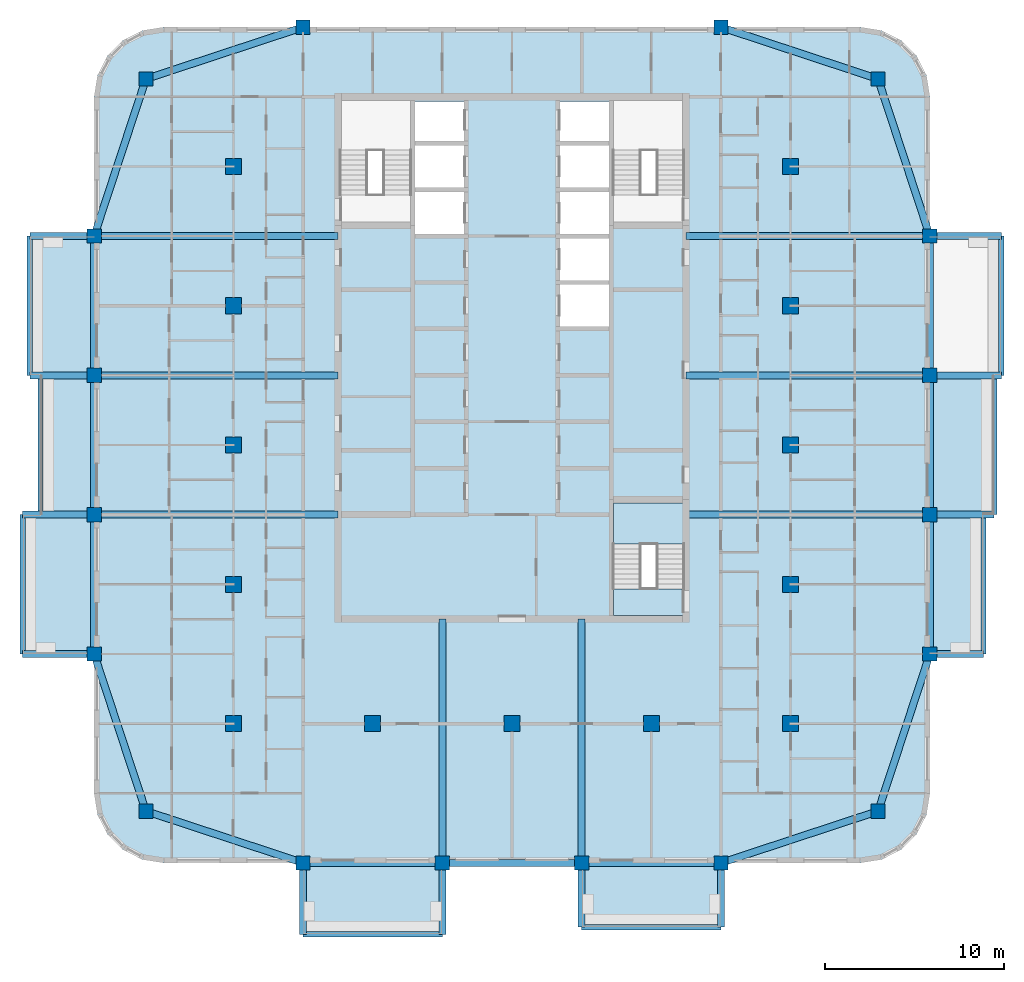
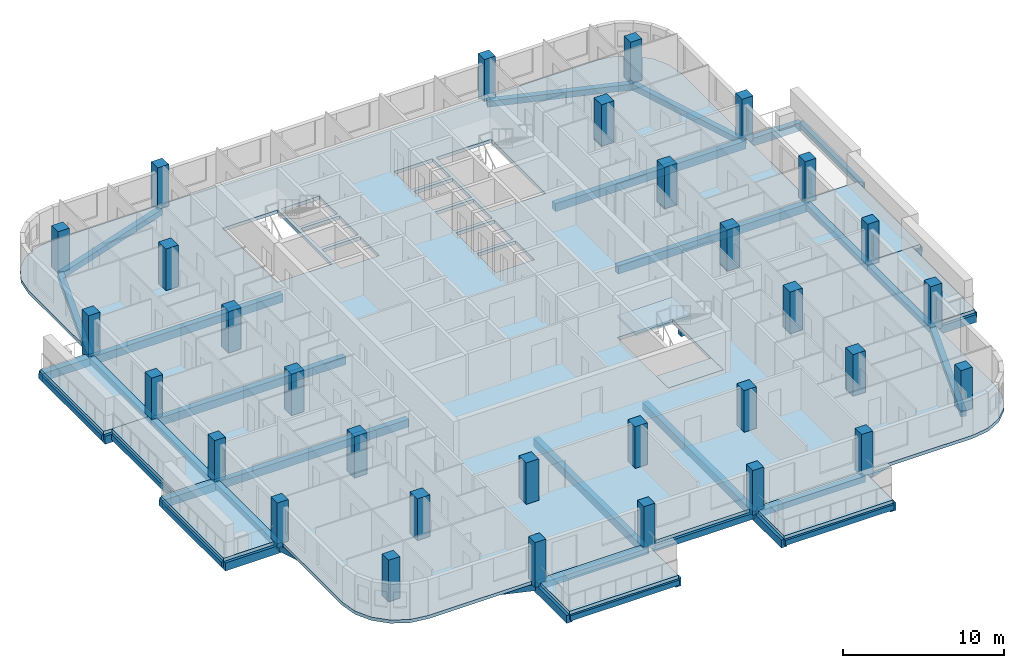
# One storey, part 1 of 16: 45 beams, 31 columns, 10 slabs, 1 element without a shape of its own.
"""IFC4 building model written with IfcOpenShell, lengths in metres."""

import ifcopenshell
import ifcopenshell.guid

model = None  # the IFC model being written
_history = None  # IfcOwnerHistory: only IFC2X3 demands one
_inside = {}  # id of a spatial element -> (the spatial element, [elements in it])
_under = {}  # id of a project, library or spatial element -> (it, [spatial elements below it])
_declared = {}  # id of a project -> (the project, [libraries it declares])
_typed = {}  # id of a type object -> (the type object, [elements of that type])
_made_of = {}  # id of a material, layer set ... -> (it, [elements and type objects made of it])


def new_model(schema):
    """Start an empty IFC model of exactly this schema.

    Asked for "IFC4X3", IfcOpenShell would pick the latest addendum, in which some entities
    have other attributes; the version numbers below select the first issue.
    IFC2X3 requires an IfcOwnerHistory on every rooted entity: one is made here for all.
    """
    global model, _history
    if schema == "IFC4X3":
        model = ifcopenshell.file(schema_version=(4, 3, 0, 0))
    else:
        model = ifcopenshell.file(schema=schema)
    _inside.clear()
    _under.clear()
    _declared.clear()
    _typed.clear()
    _made_of.clear()
    _history = None
    if model.schema == "IFC2X3":
        org = make("IfcOrganization", Name="unknown")
        user = make(
            "IfcPersonAndOrganization",
            ThePerson=make("IfcPerson", FamilyName="unknown"),
            TheOrganization=org,
        )
        app = make(
            "IfcApplication",
            ApplicationDeveloper=org,
            Version="unknown",
            ApplicationFullName="unknown",
            ApplicationIdentifier="unknown",
        )
        _history = make(
            "IfcOwnerHistory",
            OwningUser=user,
            OwningApplication=app,
            ChangeAction="ADDED",
            CreationDate=0,
        )
    return model


def make(cls, **values):
    """One entity of the class cls with the attributes given. An attribute that is None is left unset."""
    return model.create_entity(
        cls, **{name: value for name, value in values.items() if value is not None}
    )


def rooted(cls, **values):
    """An entity with a GlobalId (a new one), such as an element, a storey or a relation."""
    return make(cls, GlobalId=ifcopenshell.guid.new(), OwnerHistory=_history, **values)


def si_unit(unit_type, name, prefix=None):
    """IfcSIUnit, for example si_unit("LENGTHUNIT", "METRE", prefix="MILLI")."""
    return make("IfcSIUnit", UnitType=unit_type, Prefix=prefix, Name=name)


def assignment(units):
    """IfcUnitAssignment: the units of a project."""
    return None if units is None else make("IfcUnitAssignment", Units=units)


def point(xyz):
    """IfcCartesianPoint."""
    return None if xyz is None else make("IfcCartesianPoint", Coordinates=xyz)


def direction(xyz):
    """IfcDirection."""
    return None if xyz is None else make("IfcDirection", DirectionRatios=xyz)


def frame(location, z_axis=None, x_axis=None):
    """IfcAxis2Placement3D, a coordinate frame: its origin and axes. An axis left out is left unset."""
    return make(
        "IfcAxis2Placement3D",
        Location=point(location),
        Axis=direction(z_axis),
        RefDirection=direction(x_axis),
    )


def frame_2d(location, x_axis=None):
    """IfcAxis2Placement2D, a coordinate frame in the plane: its origin and x axis."""
    return make(
        "IfcAxis2Placement2D", Location=point(location), RefDirection=direction(x_axis)
    )


def origin():
    """The frame at (0, 0, 0) with its axes left unset."""
    return frame((0.0, 0.0, 0.0))


def origin_2d():
    """The frame at (0, 0) in the plane with its x axis left unset."""
    return frame_2d((0.0, 0.0))


def place(relative_to, where):
    """IfcLocalPlacement: puts the frame where relative to a parent placement (None: the world)."""
    return make(
        "IfcLocalPlacement", PlacementRelTo=relative_to, RelativePlacement=where
    )


def context(
    kind, dimensions, precision=None, world=None, true_north=None, identifier=None
):
    """IfcGeometricRepresentationContext, for example the 3D "Model" context."""
    return make(
        "IfcGeometricRepresentationContext",
        ContextIdentifier=identifier,
        ContextType=kind,
        CoordinateSpaceDimension=dimensions,
        Precision=precision,
        WorldCoordinateSystem=world,
        TrueNorth=true_north,
    )


def subcontext(parent, identifier, kind, view, scale=None):
    """IfcGeometricRepresentationSubContext, for example "Body" below "Model"."""
    return make(
        "IfcGeometricRepresentationSubContext",
        ContextIdentifier=identifier,
        ContextType=kind,
        ParentContext=parent,
        TargetScale=scale,
        TargetView=view,
    )


def project(units=None, contexts=None):
    """IfcProject with its units and contexts."""
    return rooted(
        "IfcProject",
        Name="project",
        RepresentationContexts=contexts,
        UnitsInContext=assignment(units),
    )


def spatial(cls, under=None, at=None, **own):
    """A site, building, storey or space (cls), placed at a placement, below another one or the project."""
    s = rooted(cls, ObjectPlacement=at, **own)
    if under is not None:
        _under.setdefault(under.id(), (under, []))[1].append(s)
    return s


def polyline(points):
    """IfcPolyline through the points."""
    return make("IfcPolyline", Points=[point(p) for p in points])


def profile(cls, at=None, kind="AREA", **sizes):
    """A parametric profile (cls). Its sizes go by their IFC names, for example OverallWidth=200.0."""
    return make(cls, ProfileType=kind, Position=at, **sizes)


def rectangle(**sizes):
    """IfcRectangleProfileDef."""
    return profile("IfcRectangleProfileDef", **sizes)


def outline(outer, holes=None, kind="AREA"):
    """IfcArbitraryClosedProfileDef: a profile drawn as a closed curve; with holes, ...WithVoids."""
    if holes is None:
        return make("IfcArbitraryClosedProfileDef", ProfileType=kind, OuterCurve=outer)
    return make(
        "IfcArbitraryProfileDefWithVoids",
        ProfileType=kind,
        OuterCurve=outer,
        InnerCurves=holes,
    )


def extrude(swept, where, along, depth):
    """IfcExtrudedAreaSolid: the profile swept, set in the frame where, extruded along a direction by depth."""
    return make(
        "IfcExtrudedAreaSolid",
        SweptArea=swept,
        Position=where,
        ExtrudedDirection=direction(along),
        Depth=depth,
    )


def shape(context_of_items, identifier, shape_type, items):
    """IfcShapeRepresentation: the items that make up one representation, for example the "Body"."""
    return make(
        "IfcShapeRepresentation",
        ContextOfItems=context_of_items,
        RepresentationIdentifier=identifier,
        RepresentationType=shape_type,
        Items=items,
    )


def material(Name=None, Category=None):
    """IfcMaterial."""
    return make("IfcMaterial", Name=Name, Category=Category)


def layer(
    of_material, thickness, ventilated=None, Name=None, Category=None, Priority=None
):
    """IfcMaterialLayer: one layer of a wall or slab, of a material (None: an air gap)."""
    return make(
        "IfcMaterialLayer",
        Material=of_material,
        LayerThickness=thickness,
        IsVentilated=ventilated,
        Name=Name,
        Category=Category,
        Priority=Priority,
    )


def layer_set(layers, Name=None):
    """IfcMaterialLayerSet."""
    return make("IfcMaterialLayerSet", MaterialLayers=layers, LayerSetName=Name)


def material_profile(
    of_material, cross_section, Name=None, Category=None, Priority=None
):
    """IfcMaterialProfile: a cross section and its material."""
    return make(
        "IfcMaterialProfile",
        Name=Name,
        Material=of_material,
        Profile=cross_section,
        Priority=Priority,
        Category=Category,
    )


def profile_set(profiles, Name=None, composite=None):
    """IfcMaterialProfileSet."""
    return make(
        "IfcMaterialProfileSet",
        Name=Name,
        MaterialProfiles=profiles,
        CompositeProfile=composite,
    )


def made_of(thing, what):
    """Note that an element or type object is made of a material, layer set ...; save() writes the relation."""
    if what is not None:
        _made_of.setdefault(what.id(), (what, []))[1].append(thing)
    return thing


def type_object(cls, material=None, **own):
    """A type object (cls), such as IfcWallType, which elements share."""
    return made_of(rooted(cls, **own), material)


def element(
    cls,
    number,
    at=None,
    inside=None,
    cuts=None,
    type_object=None,
    material=None,
    context=None,
    identifier="Body",
    shape_type=None,
    held_by="IfcProductDefinitionShape",
    body=None,
    shapes=None,
    **own,
):
    """One element of the class cls, such as IfcWall. Its Tag is "e" and its number.

    at: its placement. inside: the storey or other place that contains it. cuts: it is an
    opening in that element (IfcRelVoidsElement). A single representation is given by context,
    identifier, shape_type and body (its items); several are given by shapes. held_by: the class
    of the entity that holds the representations. save() writes the other relations.
    """
    e = rooted(cls, Tag="e%d" % number, ObjectPlacement=at, **own)
    if body is not None:
        shapes = [shape(context, identifier, shape_type, body)]
    if shapes is not None:
        e.Representation = make(held_by, Representations=shapes)
    if inside is not None:
        _inside.setdefault(inside.id(), (inside, []))[1].append(e)
    if cuts is not None:
        rooted(
            "IfcRelVoidsElement", RelatingBuildingElement=cuts, RelatedOpeningElement=e
        )
    if type_object is not None:
        _typed.setdefault(type_object.id(), (type_object, []))[1].append(e)
    return made_of(e, material)


def aggregate(whole, parts):
    """IfcRelAggregates: a whole, such as a stair, and the parts it consists of."""
    return rooted("IfcRelAggregates", RelatingObject=whole, RelatedObjects=parts)


def save(model, path):
    """Write the relations noted so far, then the file.

    IfcRelAggregates (storeys below a building ...), IfcRelContainedInSpatialStructure (elements
    in a storey), IfcRelDefinesByType, IfcRelAssociatesMaterial and IfcRelDeclares: one each for
    every whole, place, type object, material and project.
    """
    for whole, parts in _under.values():
        aggregate(whole, parts)
    for where, things in _inside.values():
        rooted(
            "IfcRelContainedInSpatialStructure",
            RelatedElements=things,
            RelatingStructure=where,
        )
    for kind, things in _typed.values():
        rooted("IfcRelDefinesByType", RelatedObjects=things, RelatingType=kind)
    for what, things in _made_of.values():
        rooted("IfcRelAssociatesMaterial", RelatedObjects=things, RelatingMaterial=what)
    for by, libraries in _declared.values():
        rooted("IfcRelDeclares", RelatingContext=by, RelatedDefinitions=libraries)
    model.write(path)


model = new_model("IFC4")

# Units and contexts
model_context = context("Model", 3, precision=1e-05, world=origin(), true_north=direction((0.0, 1.0)))
body_context = subcontext(model_context, "Body", "Model", "MODEL_VIEW")
ifc_project = project(units=[si_unit("LENGTHUNIT", "METRE"), si_unit("AREAUNIT", "SQUARE_METRE"), si_unit("VOLUMEUNIT", "CUBIC_METRE"), si_unit("PLANEANGLEUNIT", "RADIAN"), si_unit("MASSUNIT", "GRAM", prefix="KILO")], contexts=[model_context])

# Site, building, storey
site_placement = place(None, origin())
site = spatial("IfcSite", under=ifc_project, at=site_placement, CompositionType="ELEMENT")
building_placement = place(site_placement, origin())
building = spatial("IfcBuilding", under=site, at=building_placement, Name="Ludao Terraces", CompositionType="ELEMENT")
storey_placement = place(building_placement, frame((0.0, 0.0, 227.89990234375)))
storey = spatial("IfcBuildingStorey", under=building, at=storey_placement, Name="L62", CompositionType="ELEMENT", Elevation=227.89990234375)

# Columns
ifc_material_1 = material(Name="Concrete C50", Category="concrete")
ifc_material_profile_1 = material_profile(ifc_material_1, rectangle(XDim=0.800048828125, YDim=0.800048828125, at=origin_2d()), Name="800 X 800")
ifc_profile_set_1 = profile_set([ifc_material_profile_1], Name="Concrete C50")
column_type_1 = type_object("IfcColumnType", Name="RC column 800x800 C50", PredefinedType="COLUMN", material=ifc_profile_set_1)
for number, where, z_axis, x_axis, name in (
    (1, (64.5, 44.5, -0.25), (0.0, 0.0, 1.0), (1.0, 0.0, 0.0), "Column L62 C0029x0029"),
    (2, (105.5, 44.5, -0.25), (0.0, 0.0, 1.0), (1.0, 0.0, 0.0), "Column L62 C0439x0029"),
    (3, (64.5, 85.5, -0.25), (0.0, 0.0, 1.0), (1.0, 0.0, 0.0), "Column L62 C0029x0439"),
    (4, (105.5, 85.5, -0.25), (0.0, 0.0, 1.0), (1.0, 0.0, 0.0), "Column L62 C0439x0439"),
    (5, (61.60009765625, 53.300048828125, -0.25), (0.0, 0.0, 1.0), (1.0, 0.0, 0.0), "Column L62 F0000x0117"),
    (6, (108.39990234375, 53.300048828125, -0.25), (0.0, 0.0, 1.0), (1.0, 0.0, 0.0), "Column L62 F0468x0117"),
    (7, (73.300048828125, 41.60009765625, -0.25), (0.0, 0.0, 1.0), (1.0, 0.0, 0.0), "Column L62 F0117x0000"),
    (8, (73.300048828125, 88.39990234375, -0.25), (0.0, 0.0, 1.0), (1.0, 0.0, 0.0), "Column L62 F0117x0468"),
    (9, (61.60009765625, 61.10009765625, -0.25), (0.0, 0.0, 1.0), (1.0, 0.0, 0.0), "Column L62 F0000x0195"),
    (10, (108.39990234375, 61.10009765625, -0.25), (0.0, 0.0, 1.0), (1.0, 0.0, 0.0), "Column L62 F0468x0195"),
    (11, (81.10009765625, 41.60009765625, -0.25), (0.0, 0.0, 1.0), (1.0, 0.0, 0.0), "Column L62 F0195x0000"),
    (12, (61.60009765625, 68.89990234375, -0.25), (0.0, 0.0, 1.0), (1.0, 0.0, 0.0), "Column L62 F0000x0273"),
    (13, (108.39990234375, 68.89990234375, -0.25), (0.0, 0.0, 1.0), (1.0, 0.0, 0.0), "Column L62 F0468x0273"),
    (14, (88.89990234375, 41.60009765625, -0.25), (0.0, 0.0, 1.0), (1.0, 0.0, 0.0), "Column L62 F0273x0000"),
    (15, (61.60009765625, 76.699951171875, -0.25), (0.0, 0.0, 1.0), (1.0, 0.0, 0.0), "Column L62 F0000x0351"),
    (16, (108.39990234375, 76.699951171875, -0.25), (0.0, 0.0, 1.0), (1.0, 0.0, 0.0), "Column L62 F0468x0351"),
    (17, (96.699951171875, 41.60009765625, -0.25), (0.0, 0.0, 1.0), (1.0, 0.0, 0.0), "Column L62 F0351x0000"),
    (18, (96.699951171875, 88.39990234375, -0.25), (0.0, 0.0, 1.0), (1.0, 0.0, 0.0), "Column L62 F0351x0468"),
):
    element("IfcColumn", number, at=place(storey_placement, frame(where, z_axis=z_axis, x_axis=x_axis)), inside=storey, type_object=column_type_1, Name=name, PredefinedType="COLUMN", context=body_context, shape_type="SweptSolid", body=[
        extrude(rectangle(XDim=0.800048828125, YDim=0.800048828125, at=origin_2d()), origin(), (0.0, 0.0, 1.0), 3.400146484375),
    ])
ifc_material_profile_2 = material_profile(ifc_material_1, rectangle(XDim=0.89990234375, YDim=0.89990234375, at=origin_2d()), Name="900 X 900")
ifc_profile_set_2 = profile_set([ifc_material_profile_2], Name="Concrete C50")
column_type_2 = type_object("IfcColumnType", Name="RC column 900x900 C50", PredefinedType="COLUMN", material=ifc_profile_set_2)
for number, where, z_axis, x_axis, name in (
    (19, (69.39990234375, 49.39990234375, -0.25), (0.0, 0.0, 1.0), (1.0, 0.0, 0.0), "Column L62 S0078x0078"),
    (20, (69.39990234375, 57.199951171875, -0.25), (0.0, 0.0, 1.0), (1.0, 0.0, 0.0), "Column L62 S0078x0156"),
    (21, (69.39990234375, 65.0, -0.25), (0.0, 0.0, 1.0), (1.0, 0.0, 0.0), "Column L62 S0078x0234"),
    (22, (69.39990234375, 72.800048828125, -0.25), (0.0, 0.0, 1.0), (1.0, 0.0, 0.0), "Column L62 S0078x0312"),
    (23, (69.39990234375, 80.60009765625, -0.25), (0.0, 0.0, 1.0), (1.0, 0.0, 0.0), "Column L62 S0078x0390"),
    (24, (77.199951171875, 49.39990234375, -0.25), (0.0, 0.0, 1.0), (1.0, 0.0, 0.0), "Column L62 S0156x0078"),
    (25, (85.0, 49.39990234375, -0.25), (0.0, 0.0, 1.0), (1.0, 0.0, 0.0), "Column L62 S0234x0078"),
    (26, (92.800048828125, 49.39990234375, -0.25), (0.0, 0.0, 1.0), (1.0, 0.0, 0.0), "Column L62 S0312x0078"),
    (27, (100.60009765625, 49.39990234375, -0.25), (0.0, 0.0, 1.0), (1.0, 0.0, 0.0), "Column L62 S0390x0078"),
    (28, (100.60009765625, 57.199951171875, -0.25), (0.0, 0.0, 1.0), (1.0, 0.0, 0.0), "Column L62 S0390x0156"),
    (29, (100.60009765625, 65.0, -0.25), (0.0, 0.0, 1.0), (1.0, 0.0, 0.0), "Column L62 S0390x0234"),
    (30, (100.60009765625, 72.800048828125, -0.25), (0.0, 0.0, 1.0), (1.0, 0.0, 0.0), "Column L62 S0390x0312"),
    (31, (100.60009765625, 80.60009765625, -0.25), (0.0, 0.0, 1.0), (1.0, 0.0, 0.0), "Column L62 S0390x0390"),
):
    element("IfcColumn", number, at=place(storey_placement, frame(where, z_axis=z_axis, x_axis=x_axis)), inside=storey, type_object=column_type_2, Name=name, PredefinedType="COLUMN", context=body_context, shape_type="SweptSolid", body=[
        extrude(rectangle(XDim=0.89990234375, YDim=0.89990234375, at=origin_2d()), origin(), (0.0, 0.0, 1.0), 3.400146484375),
    ])

# Beams
ifc_material_2 = material(Name="Concrete C40", Category="concrete")
ifc_material_profile_3 = material_profile(ifc_material_2, rectangle(XDim=0.300048828125, YDim=0.39990234375, at=origin_2d()), Name="300 X 400")
ifc_profile_set_3 = profile_set([ifc_material_profile_3], Name="Concrete C40")
beam_type_1 = type_object("IfcBeamType", Name="RC beam 300x400 C40", PredefinedType="BEAM", material=ifc_profile_set_3)
for number, where, z_axis, x_axis, name in (
    (32, (73.300048828125, 37.60009765625, -0.449951171875), (1.0, 0.0, 0.0), (0.0, 1.0, 0.0), "Balcony edge beam L62 S1"),
    (33, (88.89990234375, 38.0, -0.449951171875), (1.0, 0.0, 0.0), (0.0, 1.0, 0.0), "Balcony edge beam L62 S3"),
    (34, (111.39990234375, 53.300048828125, -0.449951171875), (0.0, 1.0, 0.0), (-1.0, 0.0, 0.0), "Balcony edge beam L62 E1"),
):
    element("IfcBeam", number, at=place(storey_placement, frame(where, z_axis=z_axis, x_axis=x_axis)), inside=storey, type_object=beam_type_1, Name=name, PredefinedType="BEAM", context=body_context, shape_type="SweptSolid", body=[
        extrude(rectangle(XDim=0.300048828125, YDim=0.39990234375, at=origin_2d()), origin(), (0.0, 0.0, 1.0), 7.800048828125),
    ])
beam_1_placement = place(storey_placement, frame((112.0, 61.10009765625, -0.449951171875), z_axis=(0.0, 1.0, 0.0), x_axis=(-1.0, 0.0, 0.0)))
element("IfcBeam", 35, at=beam_1_placement, inside=storey, type_object=beam_type_1, Name="Balcony edge beam L62 E2", PredefinedType="BEAM", context=body_context, shape_type="SweptSolid", body=[
    extrude(rectangle(XDim=0.300048828125, YDim=0.39990234375, at=origin_2d()), origin(), (0.0, 0.0, 1.0), 7.7998046875),
])
for number, where, z_axis, x_axis, name in (
    (36, (112.39990234375, 68.89990234375, -0.449951171875), (0.0, 1.0, 0.0), (-1.0, 0.0, 0.0), "Balcony edge beam L62 E3"),
    (37, (57.60009765625, 53.300048828125, -0.449951171875), (0.0, 1.0, 0.0), (-1.0, 0.0, 0.0), "Balcony edge beam L62 W1"),
):
    element("IfcBeam", number, at=place(storey_placement, frame(where, z_axis=z_axis, x_axis=x_axis)), inside=storey, type_object=beam_type_1, Name=name, PredefinedType="BEAM", context=body_context, shape_type="SweptSolid", body=[
        extrude(rectangle(XDim=0.300048828125, YDim=0.39990234375, at=origin_2d()), origin(), (0.0, 0.0, 1.0), 7.800048828125),
    ])
beam_2_placement = place(storey_placement, frame((58.60009765625, 61.10009765625, -0.449951171875), z_axis=(0.0, 1.0, 0.0), x_axis=(-1.0, 0.0, 0.0)))
element("IfcBeam", 38, at=beam_2_placement, inside=storey, type_object=beam_type_1, Name="Balcony edge beam L62 W2", PredefinedType="BEAM", context=body_context, shape_type="SweptSolid", body=[
    extrude(rectangle(XDim=0.300048828125, YDim=0.39990234375, at=origin_2d()), origin(), (0.0, 0.0, 1.0), 7.7998046875),
])
beam_3_placement = place(storey_placement, frame((58.0, 68.89990234375, -0.449951171875), z_axis=(0.0, 1.0, 0.0), x_axis=(-1.0, 0.0, 0.0)))
element("IfcBeam", 39, at=beam_3_placement, inside=storey, type_object=beam_type_1, Name="Balcony edge beam L62 W3", PredefinedType="BEAM", context=body_context, shape_type="SweptSolid", body=[
    extrude(rectangle(XDim=0.300048828125, YDim=0.39990234375, at=origin_2d()), origin(), (0.0, 0.0, 1.0), 7.800048828125),
])
ifc_material_profile_4 = material_profile(ifc_material_2, rectangle(XDim=0.39990234375, YDim=0.449951171875, at=origin_2d()), Name="400 X 450")
ifc_profile_set_4 = profile_set([ifc_material_profile_4], Name="Concrete C40")
beam_type_2 = type_object("IfcBeamType", Name="RC beam 400x450 C40", PredefinedType="BEAM", material=ifc_profile_set_4)
beam_4_placement = place(storey_placement, frame((64.5, 44.5, -0.474853515625), z_axis=(0.949760691408, -0.312977042379, 0.0), x_axis=(0.312977042379, 0.949760691408, 0.0)))
element("IfcBeam", 40, at=beam_4_placement, inside=storey, type_object=beam_type_2, Name="Spandrel beam L62 S1", PredefinedType="BEAM", context=body_context, shape_type="SweptSolid", body=[
    extrude(rectangle(XDim=0.39990234375, YDim=0.449951171875, at=origin_2d()), origin(), (0.0, 0.0, 1.0), 9.265625),
])
beam_5_placement = place(storey_placement, frame((73.300048828125, 41.60009765625, -0.474853515625), z_axis=(1.0, 0.0, 0.0), x_axis=(0.0, 1.0, 0.0)))
element("IfcBeam", 41, at=beam_5_placement, inside=storey, type_object=beam_type_2, Name="Spandrel beam L62 S2", PredefinedType="BEAM", context=body_context, shape_type="SweptSolid", body=[
    extrude(rectangle(XDim=0.39990234375, YDim=0.449951171875, at=origin_2d()), origin(), (0.0, 0.0, 1.0), 7.800048828125),
])
beam_6_placement = place(storey_placement, frame((81.10009765625, 41.60009765625, -0.474853515625), z_axis=(1.0, 0.0, 0.0), x_axis=(0.0, 1.0, 0.0)))
element("IfcBeam", 42, at=beam_6_placement, inside=storey, type_object=beam_type_2, Name="Spandrel beam L62 S3", PredefinedType="BEAM", context=body_context, shape_type="SweptSolid", body=[
    extrude(rectangle(XDim=0.39990234375, YDim=0.449951171875, at=origin_2d()), origin(), (0.0, 0.0, 1.0), 7.7998046875),
])
beam_7_placement = place(storey_placement, frame((88.89990234375, 41.60009765625, -0.474853515625), z_axis=(1.0, 0.0, 0.0), x_axis=(0.0, 1.0, 0.0)))
element("IfcBeam", 43, at=beam_7_placement, inside=storey, type_object=beam_type_2, Name="Spandrel beam L62 S4", PredefinedType="BEAM", context=body_context, shape_type="SweptSolid", body=[
    extrude(rectangle(XDim=0.39990234375, YDim=0.449951171875, at=origin_2d()), origin(), (0.0, 0.0, 1.0), 7.800048828125),
])
for number, where, z_axis, x_axis, name in (
    (44, (96.699951171875, 41.60009765625, -0.474853515625), (0.949760691408, 0.312977042379, 0.0), (-0.312977042379, 0.949760691408, 0.0), "Spandrel beam L62 S5"),
    (45, (64.5, 85.5, -0.474853515625), (0.949760691408, 0.312977042379, 0.0), (-0.312977042379, 0.949760691408, 0.0), "Spandrel beam L62 N6"),
    (46, (96.699951171875, 88.39990234375, -0.474853515625), (0.949760691408, -0.312977042379, 0.0), (0.312977042379, 0.949760691408, 0.0), "Spandrel beam L62 N7"),
    (47, (64.5, 44.5, -0.474853515625), (-0.312977042379, 0.949760691408, 0.0), (-0.949760691408, -0.312977042379, 0.0), "Spandrel beam L62 W8"),
):
    element("IfcBeam", number, at=place(storey_placement, frame(where, z_axis=z_axis, x_axis=x_axis)), inside=storey, type_object=beam_type_2, Name=name, PredefinedType="BEAM", context=body_context, shape_type="SweptSolid", body=[
        extrude(rectangle(XDim=0.39990234375, YDim=0.449951171875, at=origin_2d()), origin(), (0.0, 0.0, 1.0), 9.265625),
    ])
beam_8_placement = place(storey_placement, frame((61.60009765625, 53.300048828125, -0.474853515625), z_axis=(0.0, 1.0, 0.0), x_axis=(-1.0, 0.0, 0.0)))
element("IfcBeam", 48, at=beam_8_placement, inside=storey, type_object=beam_type_2, Name="Spandrel beam L62 W9", PredefinedType="BEAM", context=body_context, shape_type="SweptSolid", body=[
    extrude(rectangle(XDim=0.39990234375, YDim=0.449951171875, at=origin_2d()), origin(), (0.0, 0.0, 1.0), 7.800048828125),
])
beam_9_placement = place(storey_placement, frame((61.60009765625, 61.10009765625, -0.474853515625), z_axis=(0.0, 1.0, 0.0), x_axis=(-1.0, 0.0, 0.0)))
element("IfcBeam", 49, at=beam_9_placement, inside=storey, type_object=beam_type_2, Name="Spandrel beam L62 W10", PredefinedType="BEAM", context=body_context, shape_type="SweptSolid", body=[
    extrude(rectangle(XDim=0.39990234375, YDim=0.449951171875, at=origin_2d()), origin(), (0.0, 0.0, 1.0), 7.7998046875),
])
beam_10_placement = place(storey_placement, frame((61.60009765625, 68.89990234375, -0.474853515625), z_axis=(0.0, 1.0, 0.0), x_axis=(-1.0, 0.0, 0.0)))
element("IfcBeam", 50, at=beam_10_placement, inside=storey, type_object=beam_type_2, Name="Spandrel beam L62 W11", PredefinedType="BEAM", context=body_context, shape_type="SweptSolid", body=[
    extrude(rectangle(XDim=0.39990234375, YDim=0.449951171875, at=origin_2d()), origin(), (0.0, 0.0, 1.0), 7.800048828125),
])
for number, where, z_axis, x_axis, name in (
    (51, (61.60009765625, 76.699951171875, -0.474853515625), (0.312977042379, 0.949760691408, 0.0), (-0.949760691408, 0.312977042379, 0.0), "Spandrel beam L62 W12"),
    (52, (105.5, 44.5, -0.474853515625), (0.312977042379, 0.949760691408, 0.0), (-0.949760691408, 0.312977042379, 0.0), "Spandrel beam L62 E13"),
):
    element("IfcBeam", number, at=place(storey_placement, frame(where, z_axis=z_axis, x_axis=x_axis)), inside=storey, type_object=beam_type_2, Name=name, PredefinedType="BEAM", context=body_context, shape_type="SweptSolid", body=[
        extrude(rectangle(XDim=0.39990234375, YDim=0.449951171875, at=origin_2d()), origin(), (0.0, 0.0, 1.0), 9.265625),
    ])
beam_11_placement = place(storey_placement, frame((108.39990234375, 53.300048828125, -0.474853515625), z_axis=(0.0, 1.0, 0.0), x_axis=(-1.0, 0.0, 0.0)))
element("IfcBeam", 53, at=beam_11_placement, inside=storey, type_object=beam_type_2, Name="Spandrel beam L62 E14", PredefinedType="BEAM", context=body_context, shape_type="SweptSolid", body=[
    extrude(rectangle(XDim=0.39990234375, YDim=0.449951171875, at=origin_2d()), origin(), (0.0, 0.0, 1.0), 7.800048828125),
])
beam_12_placement = place(storey_placement, frame((108.39990234375, 61.10009765625, -0.474853515625), z_axis=(0.0, 1.0, 0.0), x_axis=(-1.0, 0.0, 0.0)))
element("IfcBeam", 54, at=beam_12_placement, inside=storey, type_object=beam_type_2, Name="Spandrel beam L62 E15", PredefinedType="BEAM", context=body_context, shape_type="SweptSolid", body=[
    extrude(rectangle(XDim=0.39990234375, YDim=0.449951171875, at=origin_2d()), origin(), (0.0, 0.0, 1.0), 7.7998046875),
])
beam_13_placement = place(storey_placement, frame((108.39990234375, 68.89990234375, -0.474853515625), z_axis=(0.0, 1.0, 0.0), x_axis=(-1.0, 0.0, 0.0)))
element("IfcBeam", 55, at=beam_13_placement, inside=storey, type_object=beam_type_2, Name="Spandrel beam L62 E16", PredefinedType="BEAM", context=body_context, shape_type="SweptSolid", body=[
    extrude(rectangle(XDim=0.39990234375, YDim=0.449951171875, at=origin_2d()), origin(), (0.0, 0.0, 1.0), 7.800048828125),
])
beam_14_placement = place(storey_placement, frame((108.39990234375, 76.699951171875, -0.474853515625), z_axis=(-0.312977042379, 0.949760691408, 0.0), x_axis=(-0.949760691408, -0.312977042379, 0.0)))
element("IfcBeam", 56, at=beam_14_placement, inside=storey, type_object=beam_type_2, Name="Spandrel beam L62 E17", PredefinedType="BEAM", context=body_context, shape_type="SweptSolid", body=[
    extrude(rectangle(XDim=0.39990234375, YDim=0.449951171875, at=origin_2d()), origin(), (0.0, 0.0, 1.0), 9.265625),
])
ifc_material_profile_5 = material_profile(ifc_material_2, rectangle(XDim=0.39990234375, YDim=0.60009765625, at=origin_2d()), Name="400 X 600")
ifc_profile_set_5 = profile_set([ifc_material_profile_5], Name="Concrete C40")
beam_type_3 = type_object("IfcBeamType", Name="RC beam 400x600 C40", PredefinedType="BEAM", material=ifc_profile_set_5)
beam_15_placement = place(storey_placement, frame((108.39990234375, 53.300048828125, -0.5498046875), z_axis=(1.0, 0.0, 0.0), x_axis=(0.0, 1.0, 0.0)))
element("IfcBeam", 57, at=beam_15_placement, inside=storey, type_object=beam_type_3, Name="Balcony beam L62 E533", PredefinedType="BEAM", context=body_context, shape_type="SweptSolid", body=[
    extrude(rectangle(XDim=0.39990234375, YDim=0.60009765625, at=origin_2d()), origin(), (0.0, 0.0, 1.0), 3.0),
])
beam_16_placement = place(storey_placement, frame((94.75, 61.10009765625, -0.5498046875), z_axis=(1.0, 0.0, 0.0), x_axis=(0.0, 1.0, 0.0)))
element("IfcBeam", 58, at=beam_16_placement, inside=storey, type_object=beam_type_3, Name="Balcony beam L62 E611", PredefinedType="BEAM", context=body_context, shape_type="SweptSolid", body=[
    extrude(rectangle(XDim=0.39990234375, YDim=0.60009765625, at=origin_2d()), origin(), (0.0, 0.0, 1.0), 13.64990234375),
])
beam_17_placement = place(storey_placement, frame((108.39990234375, 61.10009765625, -0.5498046875), z_axis=(1.0, 0.0, 0.0), x_axis=(0.0, 1.0, 0.0)))
element("IfcBeam", 59, at=beam_17_placement, inside=storey, type_object=beam_type_3, Name="Balcony beam L62 E611", PredefinedType="BEAM", context=body_context, shape_type="SweptSolid", body=[
    extrude(rectangle(XDim=0.39990234375, YDim=0.60009765625, at=origin_2d()), origin(), (0.0, 0.0, 1.0), 3.60009765625),
])
beam_18_placement = place(storey_placement, frame((94.75, 68.89990234375, -0.5498046875), z_axis=(1.0, 0.0, 0.0), x_axis=(0.0, 1.0, 0.0)))
element("IfcBeam", 60, at=beam_18_placement, inside=storey, type_object=beam_type_3, Name="Balcony beam L62 E689", PredefinedType="BEAM", context=body_context, shape_type="SweptSolid", body=[
    extrude(rectangle(XDim=0.39990234375, YDim=0.60009765625, at=origin_2d()), origin(), (0.0, 0.0, 1.0), 13.64990234375),
])
beam_19_placement = place(storey_placement, frame((108.39990234375, 68.89990234375, -0.5498046875), z_axis=(1.0, 0.0, 0.0), x_axis=(0.0, 1.0, 0.0)))
element("IfcBeam", 61, at=beam_19_placement, inside=storey, type_object=beam_type_3, Name="Balcony beam L62 E689", PredefinedType="BEAM", context=body_context, shape_type="SweptSolid", body=[
    extrude(rectangle(XDim=0.39990234375, YDim=0.60009765625, at=origin_2d()), origin(), (0.0, 0.0, 1.0), 4.0),
])
beam_20_placement = place(storey_placement, frame((94.75, 76.699951171875, -0.5498046875), z_axis=(1.0, 0.0, 0.0), x_axis=(0.0, 1.0, 0.0)))
element("IfcBeam", 62, at=beam_20_placement, inside=storey, type_object=beam_type_3, Name="Balcony beam L62 E767", PredefinedType="BEAM", context=body_context, shape_type="SweptSolid", body=[
    extrude(rectangle(XDim=0.39990234375, YDim=0.60009765625, at=origin_2d()), origin(), (0.0, 0.0, 1.0), 13.64990234375),
])
for number, where, z_axis, x_axis, name in (
    (63, (108.39990234375, 76.699951171875, -0.5498046875), (1.0, 0.0, 0.0), (0.0, 1.0, 0.0), "Balcony beam L62 E767"),
    (64, (73.300048828125, 41.60009765625, -0.5498046875), (0.0, -1.0, 0.0), (1.0, 0.0, 0.0), "Balcony beam L62 S733"),
):
    element("IfcBeam", number, at=place(storey_placement, frame(where, z_axis=z_axis, x_axis=x_axis)), inside=storey, type_object=beam_type_3, Name=name, PredefinedType="BEAM", context=body_context, shape_type="SweptSolid", body=[
        extrude(rectangle(XDim=0.39990234375, YDim=0.60009765625, at=origin_2d()), origin(), (0.0, 0.0, 1.0), 4.0),
    ])
beam_21_placement = place(storey_placement, frame((81.10009765625, 55.25, -0.5498046875), z_axis=(0.0, -1.0, 0.0), x_axis=(1.0, 0.0, 0.0)))
element("IfcBeam", 65, at=beam_21_placement, inside=storey, type_object=beam_type_3, Name="Balcony beam L62 S811", PredefinedType="BEAM", context=body_context, shape_type="SweptSolid", body=[
    extrude(rectangle(XDim=0.39990234375, YDim=0.60009765625, at=origin_2d()), origin(), (0.0, 0.0, 1.0), 13.64990234375),
])
beam_22_placement = place(storey_placement, frame((81.10009765625, 41.60009765625, -0.5498046875), z_axis=(0.0, -1.0, 0.0), x_axis=(1.0, 0.0, 0.0)))
element("IfcBeam", 66, at=beam_22_placement, inside=storey, type_object=beam_type_3, Name="Balcony beam L62 S811", PredefinedType="BEAM", context=body_context, shape_type="SweptSolid", body=[
    extrude(rectangle(XDim=0.39990234375, YDim=0.60009765625, at=origin_2d()), origin(), (0.0, 0.0, 1.0), 4.0),
])
beam_23_placement = place(storey_placement, frame((88.89990234375, 55.25, -0.5498046875), z_axis=(0.0, -1.0, 0.0), x_axis=(1.0, 0.0, 0.0)))
element("IfcBeam", 67, at=beam_23_placement, inside=storey, type_object=beam_type_3, Name="Balcony beam L62 S889", PredefinedType="BEAM", context=body_context, shape_type="SweptSolid", body=[
    extrude(rectangle(XDim=0.39990234375, YDim=0.60009765625, at=origin_2d()), origin(), (0.0, 0.0, 1.0), 13.64990234375),
])
for number, where, z_axis, x_axis, name in (
    (68, (88.89990234375, 41.60009765625, -0.5498046875), (0.0, -1.0, 0.0), (1.0, 0.0, 0.0), "Balcony beam L62 S889"),
    (69, (96.699951171875, 41.60009765625, -0.5498046875), (0.0, -1.0, 0.0), (1.0, 0.0, 0.0), "Balcony beam L62 S967"),
):
    element("IfcBeam", number, at=place(storey_placement, frame(where, z_axis=z_axis, x_axis=x_axis)), inside=storey, type_object=beam_type_3, Name=name, PredefinedType="BEAM", context=body_context, shape_type="SweptSolid", body=[
        extrude(rectangle(XDim=0.39990234375, YDim=0.60009765625, at=origin_2d()), origin(), (0.0, 0.0, 1.0), 3.60009765625),
    ])
beam_24_placement = place(storey_placement, frame((61.60009765625, 53.300048828125, -0.5498046875), z_axis=(-1.0, 0.0, 0.0), x_axis=(0.0, -1.0, 0.0)))
element("IfcBeam", 70, at=beam_24_placement, inside=storey, type_object=beam_type_3, Name="Balcony beam L62 W533", PredefinedType="BEAM", context=body_context, shape_type="SweptSolid", body=[
    extrude(rectangle(XDim=0.39990234375, YDim=0.60009765625, at=origin_2d()), origin(), (0.0, 0.0, 1.0), 4.0),
])
beam_25_placement = place(storey_placement, frame((75.25, 61.10009765625, -0.5498046875), z_axis=(-1.0, 0.0, 0.0), x_axis=(0.0, -1.0, 0.0)))
element("IfcBeam", 71, at=beam_25_placement, inside=storey, type_object=beam_type_3, Name="Balcony beam L62 W611", PredefinedType="BEAM", context=body_context, shape_type="SweptSolid", body=[
    extrude(rectangle(XDim=0.39990234375, YDim=0.60009765625, at=origin_2d()), origin(), (0.0, 0.0, 1.0), 13.64990234375),
])
beam_26_placement = place(storey_placement, frame((61.60009765625, 61.10009765625, -0.5498046875), z_axis=(-1.0, 0.0, 0.0), x_axis=(0.0, -1.0, 0.0)))
element("IfcBeam", 72, at=beam_26_placement, inside=storey, type_object=beam_type_3, Name="Balcony beam L62 W611", PredefinedType="BEAM", context=body_context, shape_type="SweptSolid", body=[
    extrude(rectangle(XDim=0.39990234375, YDim=0.60009765625, at=origin_2d()), origin(), (0.0, 0.0, 1.0), 4.0),
])
beam_27_placement = place(storey_placement, frame((75.25, 68.89990234375, -0.5498046875), z_axis=(-1.0, 0.0, 0.0), x_axis=(0.0, -1.0, 0.0)))
element("IfcBeam", 73, at=beam_27_placement, inside=storey, type_object=beam_type_3, Name="Balcony beam L62 W689", PredefinedType="BEAM", context=body_context, shape_type="SweptSolid", body=[
    extrude(rectangle(XDim=0.39990234375, YDim=0.60009765625, at=origin_2d()), origin(), (0.0, 0.0, 1.0), 13.64990234375),
])
beam_28_placement = place(storey_placement, frame((61.60009765625, 68.89990234375, -0.5498046875), z_axis=(-1.0, 0.0, 0.0), x_axis=(0.0, -1.0, 0.0)))
element("IfcBeam", 74, at=beam_28_placement, inside=storey, type_object=beam_type_3, Name="Balcony beam L62 W689", PredefinedType="BEAM", context=body_context, shape_type="SweptSolid", body=[
    extrude(rectangle(XDim=0.39990234375, YDim=0.60009765625, at=origin_2d()), origin(), (0.0, 0.0, 1.0), 3.60009765625),
])
beam_29_placement = place(storey_placement, frame((75.25, 76.699951171875, -0.5498046875), z_axis=(-1.0, 0.0, 0.0), x_axis=(0.0, -1.0, 0.0)))
element("IfcBeam", 75, at=beam_29_placement, inside=storey, type_object=beam_type_3, Name="Balcony beam L62 W767", PredefinedType="BEAM", context=body_context, shape_type="SweptSolid", body=[
    extrude(rectangle(XDim=0.39990234375, YDim=0.60009765625, at=origin_2d()), origin(), (0.0, 0.0, 1.0), 13.64990234375),
])
beam_30_placement = place(storey_placement, frame((61.60009765625, 76.699951171875, -0.5498046875), z_axis=(-1.0, 0.0, 0.0), x_axis=(0.0, -1.0, 0.0)))
element("IfcBeam", 76, at=beam_30_placement, inside=storey, type_object=beam_type_3, Name="Balcony beam L62 W767", PredefinedType="BEAM", context=body_context, shape_type="SweptSolid", body=[
    extrude(rectangle(XDim=0.39990234375, YDim=0.60009765625, at=origin_2d()), origin(), (0.0, 0.0, 1.0), 3.60009765625),
])

# Slabs
ifc_layer_1 = layer(ifc_material_2, 0.25)
ifc_layer_set_1 = layer_set([ifc_layer_1], Name="Balcony slab 250 C40")
slab_type_1 = type_object("IfcSlabType", Name="Balcony slab 250 C40", PredefinedType="USERDEFINED", material=ifc_layer_set_1)
slab_1_placement = place(storey_placement, frame((0.0, 0.0, -0.25)))
element("IfcSlab", 77, at=slab_1_placement, inside=storey, type_object=slab_type_1, Name="Balcony L62 S1", ObjectType="BALCONY", PredefinedType="USERDEFINED", context=body_context, shape_type="SweptSolid", body=[
    extrude(outline(polyline([(73.300048828125, 37.60009765625), (81.10009765625, 37.60009765625), (81.10009765625, 41.60009765625), (73.300048828125, 41.60009765625), (73.300048828125, 37.60009765625)])), origin(), (0.0, 0.0, 1.0), 0.25),
])
slab_2_placement = place(storey_placement, frame((0.0, 0.0, -0.25)))
element("IfcSlab", 78, at=slab_2_placement, inside=storey, type_object=slab_type_1, Name="Balcony L62 S3", ObjectType="BALCONY", PredefinedType="USERDEFINED", context=body_context, shape_type="SweptSolid", body=[
    extrude(outline(polyline([(88.89990234375, 38.0), (96.699951171875, 38.0), (96.699951171875, 41.60009765625), (88.89990234375, 41.60009765625), (88.89990234375, 38.0)])), origin(), (0.0, 0.0, 1.0), 0.25),
])
slab_3_placement = place(storey_placement, frame((0.0, 0.0, -0.25)))
element("IfcSlab", 79, at=slab_3_placement, inside=storey, type_object=slab_type_1, Name="Balcony L62 E1", ObjectType="BALCONY", PredefinedType="USERDEFINED", context=body_context, shape_type="SweptSolid", body=[
    extrude(outline(polyline([(108.39990234375, 53.300048828125), (111.39990234375, 53.300048828125), (111.39990234375, 61.10009765625), (108.39990234375, 61.10009765625), (108.39990234375, 53.300048828125)])), origin(), (0.0, 0.0, 1.0), 0.25),
])
slab_4_placement = place(storey_placement, frame((0.0, 0.0, -0.25)))
element("IfcSlab", 80, at=slab_4_placement, inside=storey, type_object=slab_type_1, Name="Balcony L62 E2", ObjectType="BALCONY", PredefinedType="USERDEFINED", context=body_context, shape_type="SweptSolid", body=[
    extrude(outline(polyline([(108.39990234375, 61.10009765625), (112.0, 61.10009765625), (112.0, 68.89990234375), (108.39990234375, 68.89990234375), (108.39990234375, 61.10009765625)])), origin(), (0.0, 0.0, 1.0), 0.25),
])
slab_5_placement = place(storey_placement, frame((0.0, 0.0, -0.25)))
element("IfcSlab", 81, at=slab_5_placement, inside=storey, type_object=slab_type_1, Name="Balcony L62 W1", ObjectType="BALCONY", PredefinedType="USERDEFINED", context=body_context, shape_type="SweptSolid", body=[
    extrude(outline(polyline([(57.60009765625, 53.300048828125), (61.60009765625, 53.300048828125), (61.60009765625, 61.10009765625), (57.60009765625, 61.10009765625), (57.60009765625, 53.300048828125)])), origin(), (0.0, 0.0, 1.0), 0.25),
])
slab_6_placement = place(storey_placement, frame((0.0, 0.0, -0.25)))
element("IfcSlab", 82, at=slab_6_placement, inside=storey, type_object=slab_type_1, Name="Balcony L62 W2", ObjectType="BALCONY", PredefinedType="USERDEFINED", context=body_context, shape_type="SweptSolid", body=[
    extrude(outline(polyline([(58.60009765625, 61.10009765625), (61.60009765625, 61.10009765625), (61.60009765625, 68.89990234375), (58.60009765625, 68.89990234375), (58.60009765625, 61.10009765625)])), origin(), (0.0, 0.0, 1.0), 0.25),
])
slab_7_placement = place(storey_placement, frame((0.0, 0.0, -0.25)))
element("IfcSlab", 83, at=slab_7_placement, inside=storey, type_object=slab_type_1, Name="Balcony L62 W3", ObjectType="BALCONY", PredefinedType="USERDEFINED", context=body_context, shape_type="SweptSolid", body=[
    extrude(outline(polyline([(58.0, 68.89990234375), (61.60009765625, 68.89990234375), (61.60009765625, 76.699951171875), (58.0, 76.699951171875), (58.0, 68.89990234375)])), origin(), (0.0, 0.0, 1.0), 0.25),
])
ifc_layer_2 = layer(ifc_material_2, 0.25)
ifc_layer_set_2 = layer_set([ifc_layer_2], Name="Floor slab 250 C40")
slab_type_2 = type_object("IfcSlabType", Name="Floor slab 250 C40", PredefinedType="FLOOR", material=ifc_layer_set_2)
slab_8_placement = place(storey_placement, frame((0.0, 0.0, -0.25)))
element("IfcSlab", 84, at=slab_8_placement, inside=storey, type_object=slab_type_2, Name="Slab L62", PredefinedType="FLOOR", context=body_context, shape_type="SweptSolid", body=[
    extrude(outline(polyline([(104.5, 41.60009765625), (105.705078125, 41.790771484375), (106.79248046875, 42.3447265625), (107.6552734375, 43.20751953125), (108.209228515625, 44.294921875), (108.39990234375, 45.5), (108.39990234375, 84.5), (108.209228515625, 85.705078125), (107.6552734375, 86.79248046875), (106.79248046875, 87.6552734375), (105.705078125, 88.209228515625), (104.5, 88.39990234375), (65.5, 88.39990234375), (64.294921875, 88.209228515625), (63.20751953125, 87.6552734375), (62.3447265625, 86.79248046875), (61.790771484375, 85.705078125), (61.60009765625, 84.5), (61.60009765625, 45.5), (61.790771484375, 44.294921875), (62.3447265625, 43.20751953125), (63.20751953125, 42.3447265625), (64.294921875, 41.790771484375), (65.5, 41.60009765625), (104.5, 41.60009765625)]), holes=[polyline([(79.574951171875, 76.824951171875), (82.324951171875, 76.824951171875), (82.324951171875, 79.175048828125), (79.574951171875, 79.175048828125), (79.574951171875, 76.824951171875)]), polyline([(79.574951171875, 79.425048828125), (82.324951171875, 79.425048828125), (82.324951171875, 81.77490234375), (79.574951171875, 81.77490234375), (79.574951171875, 79.425048828125)]), polyline([(79.574951171875, 82.02490234375), (82.324951171875, 82.02490234375), (82.324951171875, 84.239990234375), (79.574951171875, 84.239990234375), (79.574951171875, 82.02490234375)]), polyline([(87.675048828125, 71.625), (90.425048828125, 71.625), (90.425048828125, 73.97509765625), (87.675048828125, 73.97509765625), (87.675048828125, 71.625)]), polyline([(87.675048828125, 74.22509765625), (90.425048828125, 74.22509765625), (90.425048828125, 76.574951171875), (87.675048828125, 76.574951171875), (87.675048828125, 74.22509765625)]), polyline([(87.675048828125, 76.824951171875), (90.425048828125, 76.824951171875), (90.425048828125, 79.175048828125), (87.675048828125, 79.175048828125), (87.675048828125, 76.824951171875)]), polyline([(87.675048828125, 79.425048828125), (90.425048828125, 79.425048828125), (90.425048828125, 81.77490234375), (87.675048828125, 81.77490234375), (87.675048828125, 79.425048828125)]), polyline([(87.675048828125, 82.02490234375), (90.425048828125, 82.02490234375), (90.425048828125, 84.239990234375), (87.675048828125, 84.239990234375), (87.675048828125, 82.02490234375)]), polyline([(75.375, 77.5), (79.324951171875, 77.5), (79.324951171875, 84.239990234375), (75.375, 84.239990234375), (75.375, 77.5)]), polyline([(90.675048828125, 77.5), (94.625, 77.5), (94.625, 84.239990234375), (90.675048828125, 84.239990234375), (90.675048828125, 77.5)]), polyline([(90.675048828125, 55.449951171875), (94.625, 55.449951171875), (94.625, 61.75), (90.675048828125, 61.75), (90.675048828125, 55.449951171875)])]), origin(), (0.0, 0.0, 1.0), 0.25),
])

# Stair, slabs
stair_type = type_object("IfcStairType", Name="INT Stair", PredefinedType="HALF_TURN_STAIR", material=ifc_material_2)
stair_placement = place(storey_placement, origin())
stair = element("IfcStair", 85, at=stair_placement, inside=storey, type_object=stair_type, Name="EXIT STAIR 3", PredefinedType="HALF_TURN_STAIR")
ifc_layer_3 = layer(ifc_material_2, 0.199951171875)
ifc_layer_set_3 = layer_set([ifc_layer_3], Name="INT Stair landing 200")
slab_type_3 = type_object("IfcSlabType", Name="INT Stair landing 200", PredefinedType="LANDING", material=ifc_layer_set_3)
slab_9_placement = place(storey_placement, frame((0.0, 0.0, 1.5)))
slab_9 = element("IfcSlab", 86, at=slab_9_placement, type_object=slab_type_3, Name="ST3 landing 1", PredefinedType="LANDING", context=body_context, shape_type="SweptSolid", body=[
    extrude(outline(polyline([(90.675048828125, 59.469970703125), (94.625, 59.469970703125), (94.625, 61.75), (90.675048828125, 61.75), (90.675048828125, 59.469970703125)])), origin(), (0.0, 0.0, 1.0), 0.2001953125),
])
slab_10_placement = place(storey_placement, frame((0.0, 0.0, -0.199951171875)))
slab_10 = element("IfcSlab", 87, at=slab_10_placement, type_object=slab_type_3, Name="ST3 landing 2", PredefinedType="LANDING", context=body_context, shape_type="SweptSolid", body=[
    extrude(outline(polyline([(90.675048828125, 55.449951171875), (94.625, 55.449951171875), (94.625, 56.949951171875), (90.675048828125, 56.949951171875), (90.675048828125, 55.449951171875)])), origin(), (0.0, 0.0, 1.0), 0.199951171875),
])
aggregate(stair, [slab_9, slab_10])

save(model, "model.ifc")
